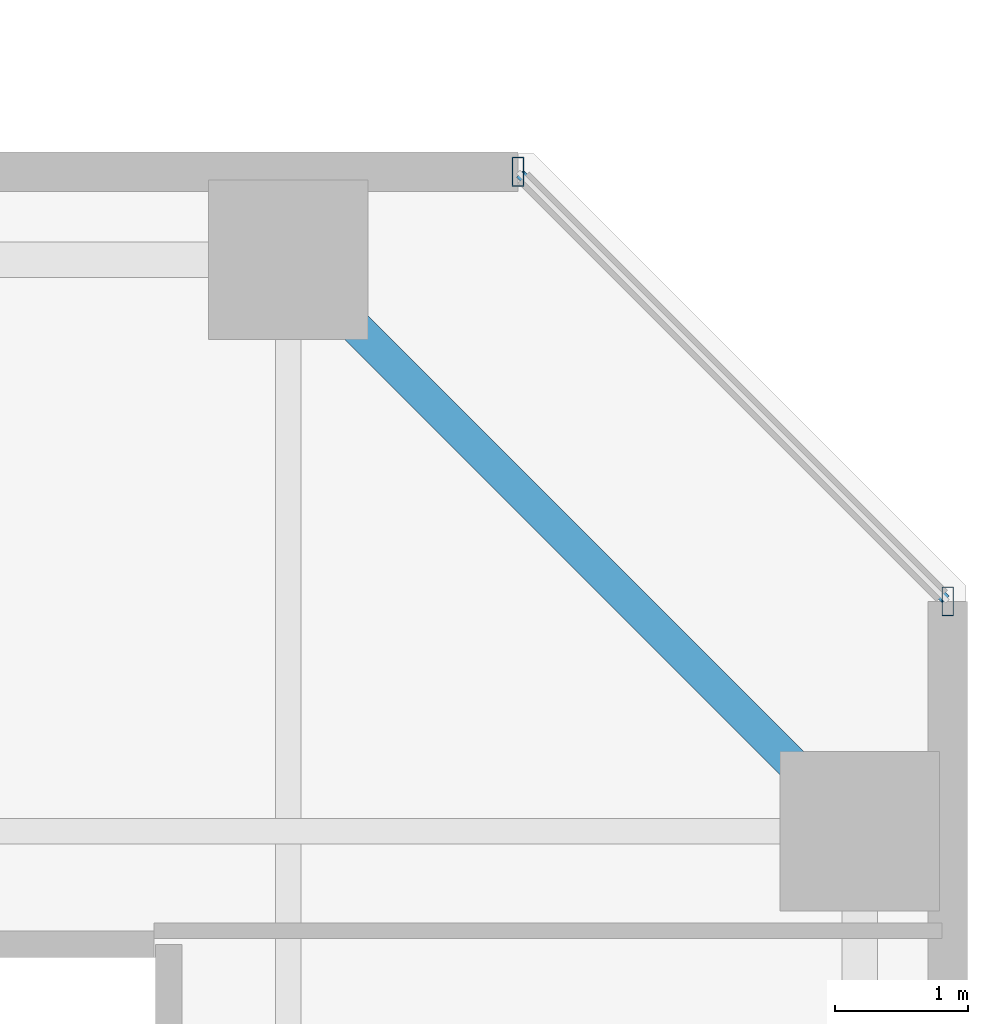
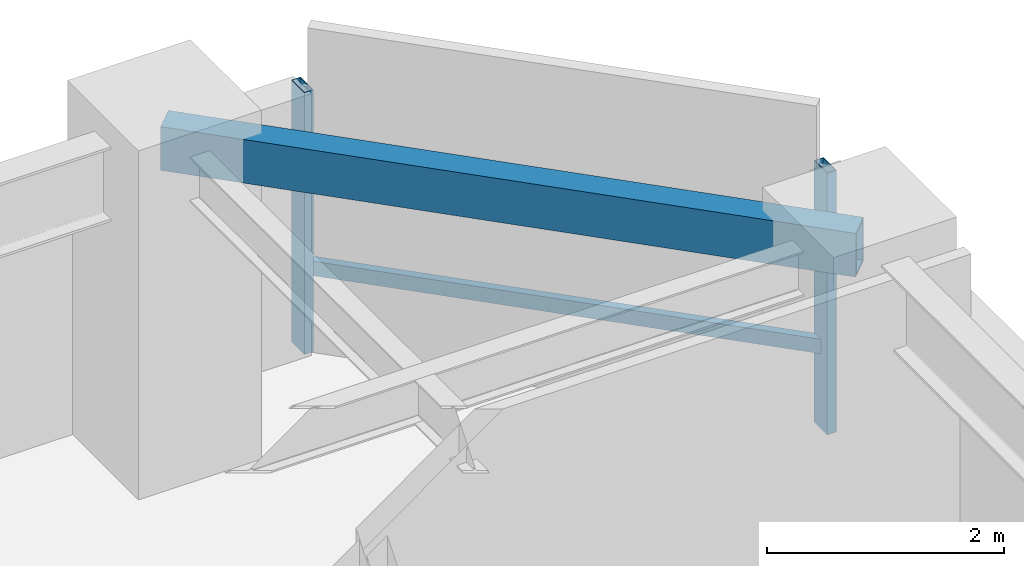
# One storey, part 17 of 33: 3 members, 1 beam, 1 element without a shape of its own.
"""IFC4 building model written with IfcOpenShell, lengths in metres."""

from ifc_helpers import new_model, si_unit, direction, frame, origin, origin_2d, place, context, subcontext, project, spatial, hollow_rectangle, extrude, material, material_profile, profile_set, type_object, element, aggregate, save


model = new_model("IFC4")

# Units and contexts
model_context = context("Model", 3, precision=1e-05, world=origin(), true_north=direction((0.0, 1.0)))
body_context = subcontext(model_context, "Body", "Model", "MODEL_VIEW")
ifc_project = project(units=[si_unit("LENGTHUNIT", "METRE"), si_unit("AREAUNIT", "SQUARE_METRE"), si_unit("VOLUMEUNIT", "CUBIC_METRE"), si_unit("PLANEANGLEUNIT", "RADIAN"), si_unit("MASSUNIT", "GRAM", prefix="KILO")], contexts=[model_context])

# Site, building, storey
site_placement = place(None, origin())
site = spatial("IfcSite", under=ifc_project, at=site_placement, CompositionType="ELEMENT")
building_placement = place(site_placement, origin())
building = spatial("IfcBuilding", under=site, at=building_placement, Name="Thornwick Lancets Civic Towers", CompositionType="ELEMENT")
storey_placement = place(building_placement, frame((0.0, 0.0, 108.89990234375)))
storey = spatial("IfcBuildingStorey", under=building, at=storey_placement, Name="L28", CompositionType="ELEMENT", Elevation=108.89990234375)

# Beam
ifc_material_1 = material(Name="Steel S355JR", Category="steel")
ifc_material_profile_1 = material_profile(ifc_material_1, hollow_rectangle(XDim=0.25, YDim=0.449951171875, WallThickness=0.01611328125, at=origin_2d()), Name="RHS 450x250x16")
ifc_profile_set_1 = profile_set([ifc_material_profile_1], Name="Steel S355JR")
beam_type = type_object("IfcBeamType", Name="BM_RING_RHS450", PredefinedType="BEAM", material=ifc_profile_set_1)
beam_placement = place(storey_placement, frame((105.800048828125, 40.0, 3.135009765625), z_axis=(-0.707106781187, 0.707106781187, 0.0), x_axis=(-0.707106781187, -0.707106781187, 0.0)))
element("IfcBeam", 1, at=beam_placement, inside=storey, type_object=beam_type, Name="BM-CHAMF-L28-B-C0", PredefinedType="BEAM", context=body_context, shape_type="SweptSolid", body=[
    extrude(hollow_rectangle(XDim=0.25, YDim=0.449951171875, WallThickness=0.01611328125, at=origin_2d()), origin(), (0.0, 0.0, 1.0), 6.081298828125),
])

# Curtain wall, members
ifc_material_2 = material(Name="Low-zone chamfered-corner unitised glass curtain wall", Category="glass")
curtain_wall_type = type_object("IfcCurtainWallType", Name="CW_SYS_03", PredefinedType="NOTDEFINED", material=ifc_material_2)
curtain_wall_placement = place(storey_placement, origin())
curtain_wall = element("IfcCurtainWall", 2, at=curtain_wall_placement, inside=storey, type_object=curtain_wall_type, Name="L28 Curtain Wall CW-L28-B-E3", PredefinedType="NOTDEFINED")
ifc_material_3 = material(Name="Thermally broken bronze aluminium S355", Category="steel")
ifc_material_profile_2 = material_profile(ifc_material_3, hollow_rectangle(XDim=0.090087890625, YDim=0.219970703125, WallThickness=0.00634765625, at=origin_2d()), Name="RHS 220x90x6.3")
ifc_profile_set_2 = profile_set([ifc_material_profile_2], Name="Thermally broken bronze aluminium S355")
member_type_1 = type_object("IfcMemberType", Name="CW_MUL_220", PredefinedType="MULLION", material=ifc_profile_set_2)
member_1_placement = place(storey_placement, frame((106.462646484375, 41.728759765625, 0.0), z_axis=(0.0, 0.0, 1.0), x_axis=(1.0, 0.0, 0.0)))
member_1 = element("IfcMember", 3, at=member_1_placement, type_object=member_type_1, Name="CW-L28-B-E3 Mullion 0", PredefinedType="MULLION", context=body_context, shape_type="SweptSolid", body=[
    extrude(hollow_rectangle(XDim=0.090087890625, YDim=0.219970703125, WallThickness=0.00634765625, at=origin_2d()), origin(), (0.0, 0.0, 1.0), 2.7001953125),
])
member_2_placement = place(storey_placement, frame((103.228759765625, 44.962646484375, 0.0), z_axis=(0.0, 0.0, 1.0), x_axis=(1.0, 0.0, 0.0)))
member_2 = element("IfcMember", 4, at=member_2_placement, type_object=member_type_1, Name="CW-L28-B-E3 Mullion 1", PredefinedType="MULLION", context=body_context, shape_type="SweptSolid", body=[
    extrude(hollow_rectangle(XDim=0.090087890625, YDim=0.219970703125, WallThickness=0.00634765625, at=origin_2d()), origin(), (0.0, 0.0, 1.0), 2.7001953125),
])
ifc_material_profile_3 = material_profile(ifc_material_3, hollow_rectangle(XDim=0.074951171875, YDim=0.14990234375, WallThickness=0.0048828125, at=origin_2d()), Name="RHS 150x75x5")
ifc_profile_set_3 = profile_set([ifc_material_profile_3], Name="Thermally broken bronze aluminium S355")
member_type_2 = type_object("IfcMemberType", Name="CW_TRN_150", PredefinedType="USERDEFINED", material=ifc_profile_set_3)
member_3_placement = place(storey_placement, frame((106.448486328125, 41.742919921875, 0.85009765625), z_axis=(-0.707106781187, 0.707106781187, 0.0), x_axis=(-0.707106781187, -0.707106781187, 0.0)))
member_3 = element("IfcMember", 5, at=member_3_placement, type_object=member_type_2, Name="CW-L28-B-E3 Transom 0", ObjectType="TRANSOM", PredefinedType="USERDEFINED", context=body_context, shape_type="SweptSolid", body=[
    extrude(hollow_rectangle(XDim=0.074951171875, YDim=0.14990234375, WallThickness=0.0048828125, at=origin_2d()), origin(), (0.0, 0.0, 1.0), 4.533447265625),
])
aggregate(curtain_wall, [member_1, member_2, member_3])

save(model, "model.ifc")
